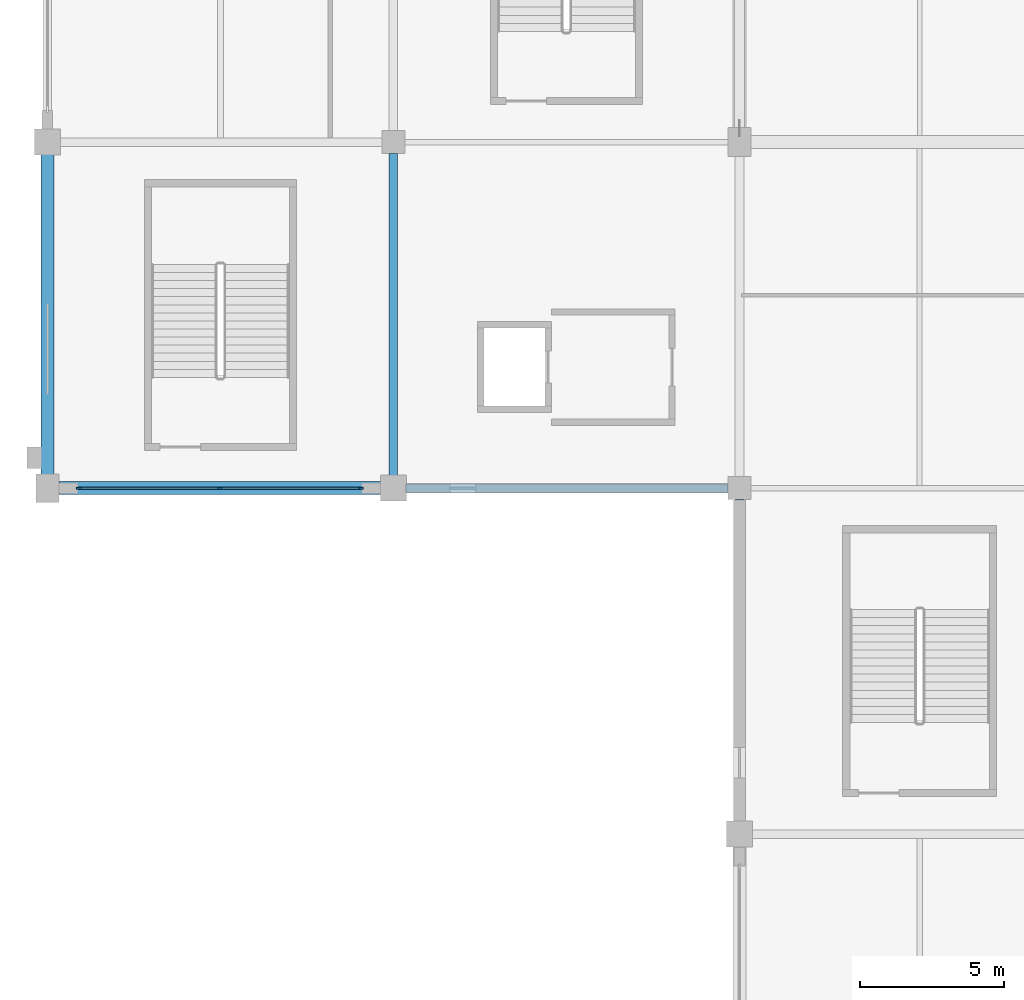
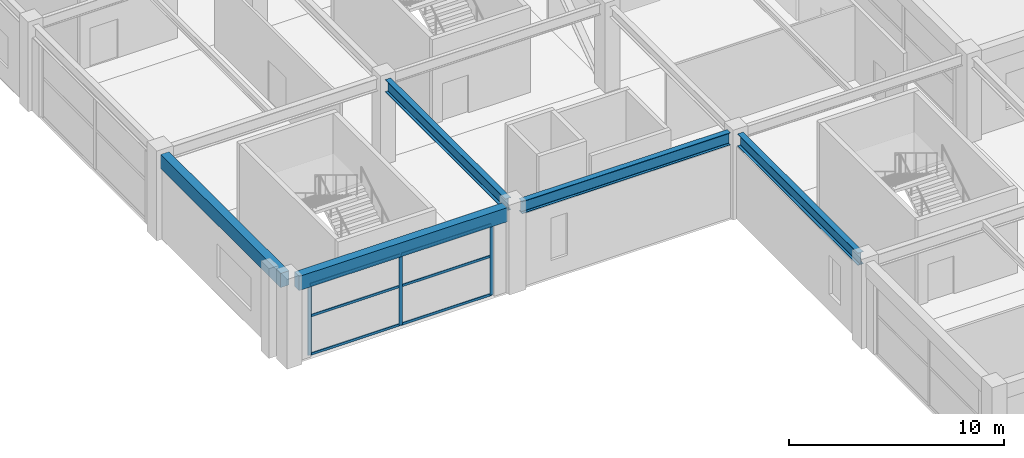
# One storey, part 10 of 116: 9 members, 5 beams, 1 element without a shape of its own.
"""IFC4 building model written with IfcOpenShell, lengths in metres."""

from ifc_helpers import new_model, si_unit, direction, frame, origin, origin_2d, place, context, subcontext, project, spatial, rectangle, i_section, extrude, material, layer, layer_set, material_profile, profile_set, type_object, element, aggregate, save


model = new_model("IFC4")

# Units and contexts
model_context = context("Model", 3, precision=1e-05, world=origin(), true_north=direction((0.0, 1.0)))
body_context = subcontext(model_context, "Body", "Model", "MODEL_VIEW")
ifc_project = project(units=[si_unit("LENGTHUNIT", "METRE"), si_unit("AREAUNIT", "SQUARE_METRE"), si_unit("VOLUMEUNIT", "CUBIC_METRE"), si_unit("PLANEANGLEUNIT", "RADIAN"), si_unit("MASSUNIT", "GRAM", prefix="KILO")], contexts=[model_context])

# Site, building, storey
site_placement = place(None, origin())
site = spatial("IfcSite", under=ifc_project, at=site_placement, CompositionType="ELEMENT")
building_placement = place(site_placement, origin())
building = spatial("IfcBuilding", under=site, at=building_placement, Name="Kazenohara Klinker Stadium", CompositionType="ELEMENT")
storey_placement = place(building_placement, frame((0.0, 0.0, 10.199951171875)))
storey = spatial("IfcBuildingStorey", under=building, at=storey_placement, Name="L02", CompositionType="ELEMENT", Elevation=10.199951171875)

# Beams
ifc_material_1 = material(Name="Concrete C40/50", Category="concrete")
ifc_material_profile_1 = material_profile(ifc_material_1, rectangle(XDim=0.449951171875, YDim=0.800048828125, at=origin_2d()), Name="RC-BM-450x800")
ifc_profile_set_1 = profile_set([ifc_material_profile_1], Name="Concrete C40/50")
beam_type_1 = type_object("IfcBeamType", Name="BM-RC03", PredefinedType="BEAM", material=ifc_profile_set_1)
beam_1_placement = place(storey_placement, frame((0.39990234375, 36.0, 4.420166015625), z_axis=(1.0, 0.0, 0.0), x_axis=(0.0, 1.0, 0.0)))
element("IfcBeam", 1, at=beam_1_placement, inside=storey, type_object=beam_type_1, Name="Primary girder BG03 L02 1-2/D", PredefinedType="BEAM", context=body_context, shape_type="SweptSolid", body=[
    extrude(rectangle(XDim=0.449951171875, YDim=0.800048828125, at=origin_2d()), origin(), (0.0, 0.0, 1.0), 11.18017578125),
])
beam_2_placement = place(storey_placement, frame((0.0, 36.419921875, 4.420166015625), z_axis=(0.0, 1.0, 0.0), x_axis=(-1.0, 0.0, 0.0)))
element("IfcBeam", 2, at=beam_2_placement, inside=storey, type_object=beam_type_1, Name="Primary girder BG03 L02 1/D-E", PredefinedType="BEAM", context=body_context, shape_type="SweptSolid", body=[
    extrude(rectangle(XDim=0.449951171875, YDim=0.800048828125, at=origin_2d()), origin(), (0.0, 0.0, 1.0), 11.16015625),
])
ifc_material_2 = material(Name="Steel S355", Category="steel")
ifc_material_profile_2 = material_profile(ifc_material_2, i_section(OverallWidth=0.300048828125, OverallDepth=0.699951171875, WebThickness=0.012939453125, FlangeThickness=0.02392578125, FilletRadius=0.02197265625, at=origin_2d()), Name="H-700x300x13x24")
ifc_profile_set_2 = profile_set([ifc_material_profile_2], Name="Steel S355")
beam_type_2 = type_object("IfcBeamType", Name="BM-ST03", PredefinedType="BEAM", material=ifc_profile_set_2)
for number, where, z_axis, x_axis, name in (
    (3, (12.419921875, 36.0, 4.469970703125), (1.0, 0.0, 0.0), (0.0, 1.0, 0.0), "Primary girder SB03 L02 2-3/D"),
    (4, (12.0, 36.419921875, 4.469970703125), (0.0, 1.0, 0.0), (-1.0, 0.0, 0.0), "Primary girder SB03 L02 2/D-E"),
    (5, (24.0, 24.419921875, 4.469970703125), (0.0, 1.0, 0.0), (-1.0, 0.0, 0.0), "Primary girder SB03 L02 3/C-D"),
):
    element("IfcBeam", number, at=place(storey_placement, frame(where, z_axis=z_axis, x_axis=x_axis)), inside=storey, type_object=beam_type_2, Name=name, PredefinedType="BEAM", context=body_context, shape_type="SweptSolid", body=[
        extrude(i_section(OverallWidth=0.300048828125, OverallDepth=0.699951171875, WebThickness=0.012939453125, FlangeThickness=0.02392578125, FilletRadius=0.02197265625, at=origin_2d()), origin(), (0.0, 0.0, 1.0), 11.18017578125),
    ])

# Curtain wall, members
ifc_material_3 = material(Name="Anodised aluminium and triple glazing", Category="aluminium")
ifc_layer = layer(ifc_material_3, 0.179931640625)
ifc_layer_set = layer_set([ifc_layer], Name="Anodised aluminium and triple glazing")
curtain_wall_type = type_object("IfcCurtainWallType", Name="CW-SYS-02", PredefinedType="USERDEFINED", material=ifc_layer_set)
curtain_wall_placement = place(storey_placement, origin())
curtain_wall = element("IfcCurtainWall", 6, at=curtain_wall_placement, inside=storey, type_object=curtain_wall_type, Name="Unitised facade curtain wall CW02 L02 X0-3", ObjectType="UNITISED CURTAIN WALL", PredefinedType="USERDEFINED")
ifc_material_4 = material(Name="Anodised aluminium 6063-T6", Category="aluminium")
ifc_material_profile_3 = material_profile(ifc_material_4, rectangle(XDim=0.06494140625, YDim=0.179931640625, at=origin_2d()), Name="ALU-MUL-65x180")
ifc_profile_set_3 = profile_set([ifc_material_profile_3], Name="Anodised aluminium 6063-T6")
member_type_1 = type_object("IfcMemberType", Name="CW-MUL-180", PredefinedType="MULLION", material=ifc_profile_set_3)
member_1_placement = place(storey_placement, frame((1.08642578125, 36.0, 0.0), z_axis=(0.0, 0.0, 1.0), x_axis=(0.0, 1.0, 0.0)))
member_1 = element("IfcMember", 7, at=member_1_placement, type_object=member_type_1, Name="CW02 mullion 1", PredefinedType="MULLION", context=body_context, shape_type="SweptSolid", body=[
    extrude(rectangle(XDim=0.06494140625, YDim=0.179931640625, at=origin_2d()), origin(), (0.0, 0.0, 1.0), 4.02001953125),
])
member_2_placement = place(storey_placement, frame((5.97509765625, 36.0, 0.0), z_axis=(0.0, 0.0, 1.0), x_axis=(0.0, 1.0, 0.0)))
member_2 = element("IfcMember", 8, at=member_2_placement, type_object=member_type_1, Name="CW02 mullion 2", PredefinedType="MULLION", context=body_context, shape_type="SweptSolid", body=[
    extrude(rectangle(XDim=0.06494140625, YDim=0.179931640625, at=origin_2d()), origin(), (0.0, 0.0, 1.0), 4.02001953125),
])
member_3_placement = place(storey_placement, frame((10.863525390625, 36.0, 0.0), z_axis=(0.0, 0.0, 1.0), x_axis=(0.0, 1.0, 0.0)))
member_3 = element("IfcMember", 9, at=member_3_placement, type_object=member_type_1, Name="CW02 mullion 3", PredefinedType="MULLION", context=body_context, shape_type="SweptSolid", body=[
    extrude(rectangle(XDim=0.06494140625, YDim=0.179931640625, at=origin_2d()), origin(), (0.0, 0.0, 1.0), 4.02001953125),
])
ifc_material_profile_4 = material_profile(ifc_material_4, rectangle(XDim=0.06494140625, YDim=0.139892578125, at=origin_2d()), Name="ALU-TRN-65x140")
ifc_profile_set_4 = profile_set([ifc_material_profile_4], Name="Anodised aluminium 6063-T6")
member_type_2 = type_object("IfcMemberType", Name="CW-TRN-140", PredefinedType="USERDEFINED", material=ifc_profile_set_4)
member_4_placement = place(storey_placement, frame((1.118896484375, 36.0, 0.032470703125), z_axis=(1.0, 0.0, 0.0), x_axis=(0.0, 1.0, 0.0)))
member_4 = element("IfcMember", 10, at=member_4_placement, type_object=member_type_2, Name="CW02 transom 1.1", ObjectType="TRANSOM", PredefinedType="USERDEFINED", context=body_context, shape_type="SweptSolid", body=[
    extrude(rectangle(XDim=0.06494140625, YDim=0.139892578125, at=origin_2d()), origin(), (0.0, 0.0, 1.0), 4.823486328125),
])
member_5_placement = place(storey_placement, frame((1.118896484375, 36.0, 2.2109375), z_axis=(1.0, 0.0, 0.0), x_axis=(0.0, 1.0, 0.0)))
member_5 = element("IfcMember", 11, at=member_5_placement, type_object=member_type_2, Name="CW02 transom 1.2", ObjectType="TRANSOM", PredefinedType="USERDEFINED", context=body_context, shape_type="SweptSolid", body=[
    extrude(rectangle(XDim=0.06494140625, YDim=0.139892578125, at=origin_2d()), origin(), (0.0, 0.0, 1.0), 4.823486328125),
])
member_6_placement = place(storey_placement, frame((1.118896484375, 36.0, 3.987548828125), z_axis=(1.0, 0.0, 0.0), x_axis=(0.0, 1.0, 0.0)))
member_6 = element("IfcMember", 12, at=member_6_placement, type_object=member_type_2, Name="CW02 transom 1.3", ObjectType="TRANSOM", PredefinedType="USERDEFINED", context=body_context, shape_type="SweptSolid", body=[
    extrude(rectangle(XDim=0.06494140625, YDim=0.139892578125, at=origin_2d()), origin(), (0.0, 0.0, 1.0), 4.823486328125),
])
member_7_placement = place(storey_placement, frame((6.007568359375, 36.0, 0.032470703125), z_axis=(1.0, 0.0, 0.0), x_axis=(0.0, 1.0, 0.0)))
member_7 = element("IfcMember", 13, at=member_7_placement, type_object=member_type_2, Name="CW02 transom 2.1", ObjectType="TRANSOM", PredefinedType="USERDEFINED", context=body_context, shape_type="SweptSolid", body=[
    extrude(rectangle(XDim=0.06494140625, YDim=0.139892578125, at=origin_2d()), origin(), (0.0, 0.0, 1.0), 4.823486328125),
])
member_8_placement = place(storey_placement, frame((6.007568359375, 36.0, 2.2109375), z_axis=(1.0, 0.0, 0.0), x_axis=(0.0, 1.0, 0.0)))
member_8 = element("IfcMember", 14, at=member_8_placement, type_object=member_type_2, Name="CW02 transom 2.2", ObjectType="TRANSOM", PredefinedType="USERDEFINED", context=body_context, shape_type="SweptSolid", body=[
    extrude(rectangle(XDim=0.06494140625, YDim=0.139892578125, at=origin_2d()), origin(), (0.0, 0.0, 1.0), 4.823486328125),
])
member_9_placement = place(storey_placement, frame((6.007568359375, 36.0, 3.987548828125), z_axis=(1.0, 0.0, 0.0), x_axis=(0.0, 1.0, 0.0)))
member_9 = element("IfcMember", 15, at=member_9_placement, type_object=member_type_2, Name="CW02 transom 2.3", ObjectType="TRANSOM", PredefinedType="USERDEFINED", context=body_context, shape_type="SweptSolid", body=[
    extrude(rectangle(XDim=0.06494140625, YDim=0.139892578125, at=origin_2d()), origin(), (0.0, 0.0, 1.0), 4.823486328125),
])
aggregate(curtain_wall, [member_1, member_2, member_3, member_4, member_5, member_6, member_7, member_8, member_9])

save(model, "model.ifc")
